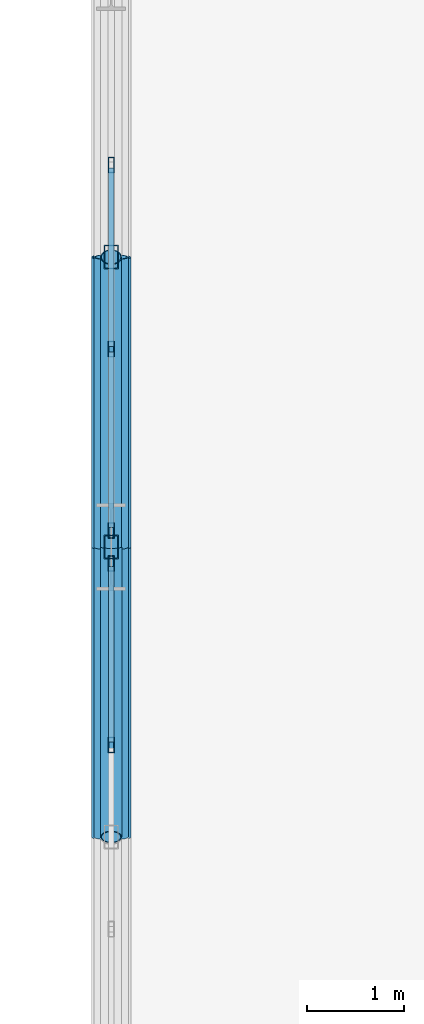
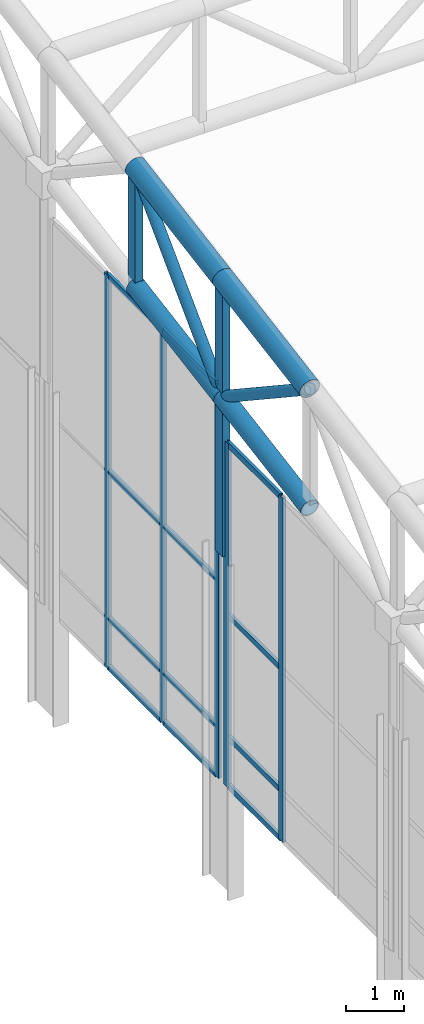
# One storey, part 38 of 239: 25 members, 2 elements without a shape of their own.
"""IFC4 building model written with IfcOpenShell, lengths in metres."""

import ifcopenshell
import ifcopenshell.guid

model = None  # the IFC model being written
_history = None  # IfcOwnerHistory: only IFC2X3 demands one
_inside = {}  # id of a spatial element -> (the spatial element, [elements in it])
_under = {}  # id of a project, library or spatial element -> (it, [spatial elements below it])
_declared = {}  # id of a project -> (the project, [libraries it declares])
_typed = {}  # id of a type object -> (the type object, [elements of that type])
_made_of = {}  # id of a material, layer set ... -> (it, [elements and type objects made of it])


def new_model(schema):
    """Start an empty IFC model of exactly this schema.

    Asked for "IFC4X3", IfcOpenShell would pick the latest addendum, in which some entities
    have other attributes; the version numbers below select the first issue.
    IFC2X3 requires an IfcOwnerHistory on every rooted entity: one is made here for all.
    """
    global model, _history
    if schema == "IFC4X3":
        model = ifcopenshell.file(schema_version=(4, 3, 0, 0))
    else:
        model = ifcopenshell.file(schema=schema)
    _inside.clear()
    _under.clear()
    _declared.clear()
    _typed.clear()
    _made_of.clear()
    _history = None
    if model.schema == "IFC2X3":
        org = make("IfcOrganization", Name="unknown")
        user = make(
            "IfcPersonAndOrganization",
            ThePerson=make("IfcPerson", FamilyName="unknown"),
            TheOrganization=org,
        )
        app = make(
            "IfcApplication",
            ApplicationDeveloper=org,
            Version="unknown",
            ApplicationFullName="unknown",
            ApplicationIdentifier="unknown",
        )
        _history = make(
            "IfcOwnerHistory",
            OwningUser=user,
            OwningApplication=app,
            ChangeAction="ADDED",
            CreationDate=0,
        )
    return model


def make(cls, **values):
    """One entity of the class cls with the attributes given. An attribute that is None is left unset."""
    return model.create_entity(
        cls, **{name: value for name, value in values.items() if value is not None}
    )


def rooted(cls, **values):
    """An entity with a GlobalId (a new one), such as an element, a storey or a relation."""
    return make(cls, GlobalId=ifcopenshell.guid.new(), OwnerHistory=_history, **values)


def si_unit(unit_type, name, prefix=None):
    """IfcSIUnit, for example si_unit("LENGTHUNIT", "METRE", prefix="MILLI")."""
    return make("IfcSIUnit", UnitType=unit_type, Prefix=prefix, Name=name)


def assignment(units):
    """IfcUnitAssignment: the units of a project."""
    return None if units is None else make("IfcUnitAssignment", Units=units)


def point(xyz):
    """IfcCartesianPoint."""
    return None if xyz is None else make("IfcCartesianPoint", Coordinates=xyz)


def direction(xyz):
    """IfcDirection."""
    return None if xyz is None else make("IfcDirection", DirectionRatios=xyz)


def frame(location, z_axis=None, x_axis=None):
    """IfcAxis2Placement3D, a coordinate frame: its origin and axes. An axis left out is left unset."""
    return make(
        "IfcAxis2Placement3D",
        Location=point(location),
        Axis=direction(z_axis),
        RefDirection=direction(x_axis),
    )


def frame_2d(location, x_axis=None):
    """IfcAxis2Placement2D, a coordinate frame in the plane: its origin and x axis."""
    return make(
        "IfcAxis2Placement2D", Location=point(location), RefDirection=direction(x_axis)
    )


def origin():
    """The frame at (0, 0, 0) with its axes left unset."""
    return frame((0.0, 0.0, 0.0))


def origin_2d():
    """The frame at (0, 0) in the plane with its x axis left unset."""
    return frame_2d((0.0, 0.0))


def place(relative_to, where):
    """IfcLocalPlacement: puts the frame where relative to a parent placement (None: the world)."""
    return make(
        "IfcLocalPlacement", PlacementRelTo=relative_to, RelativePlacement=where
    )


def context(
    kind, dimensions, precision=None, world=None, true_north=None, identifier=None
):
    """IfcGeometricRepresentationContext, for example the 3D "Model" context."""
    return make(
        "IfcGeometricRepresentationContext",
        ContextIdentifier=identifier,
        ContextType=kind,
        CoordinateSpaceDimension=dimensions,
        Precision=precision,
        WorldCoordinateSystem=world,
        TrueNorth=true_north,
    )


def subcontext(parent, identifier, kind, view, scale=None):
    """IfcGeometricRepresentationSubContext, for example "Body" below "Model"."""
    return make(
        "IfcGeometricRepresentationSubContext",
        ContextIdentifier=identifier,
        ContextType=kind,
        ParentContext=parent,
        TargetScale=scale,
        TargetView=view,
    )


def project(units=None, contexts=None):
    """IfcProject with its units and contexts."""
    return rooted(
        "IfcProject",
        Name="project",
        RepresentationContexts=contexts,
        UnitsInContext=assignment(units),
    )


def spatial(cls, under=None, at=None, **own):
    """A site, building, storey or space (cls), placed at a placement, below another one or the project."""
    s = rooted(cls, ObjectPlacement=at, **own)
    if under is not None:
        _under.setdefault(under.id(), (under, []))[1].append(s)
    return s


def profile(cls, at=None, kind="AREA", **sizes):
    """A parametric profile (cls). Its sizes go by their IFC names, for example OverallWidth=200.0."""
    return make(cls, ProfileType=kind, Position=at, **sizes)


def hollow_rectangle(**sizes):
    """IfcRectangleHollowProfileDef."""
    return profile("IfcRectangleHollowProfileDef", **sizes)


def hollow_circle(**sizes):
    """IfcCircleHollowProfileDef."""
    return profile("IfcCircleHollowProfileDef", **sizes)


def extrude(swept, where, along, depth):
    """IfcExtrudedAreaSolid: the profile swept, set in the frame where, extruded along a direction by depth."""
    return make(
        "IfcExtrudedAreaSolid",
        SweptArea=swept,
        Position=where,
        ExtrudedDirection=direction(along),
        Depth=depth,
    )


def shape(context_of_items, identifier, shape_type, items):
    """IfcShapeRepresentation: the items that make up one representation, for example the "Body"."""
    return make(
        "IfcShapeRepresentation",
        ContextOfItems=context_of_items,
        RepresentationIdentifier=identifier,
        RepresentationType=shape_type,
        Items=items,
    )


def material(Name=None, Category=None):
    """IfcMaterial."""
    return make("IfcMaterial", Name=Name, Category=Category)


def material_profile(
    of_material, cross_section, Name=None, Category=None, Priority=None
):
    """IfcMaterialProfile: a cross section and its material."""
    return make(
        "IfcMaterialProfile",
        Name=Name,
        Material=of_material,
        Profile=cross_section,
        Priority=Priority,
        Category=Category,
    )


def profile_set(profiles, Name=None, composite=None):
    """IfcMaterialProfileSet."""
    return make(
        "IfcMaterialProfileSet",
        Name=Name,
        MaterialProfiles=profiles,
        CompositeProfile=composite,
    )


def made_of(thing, what):
    """Note that an element or type object is made of a material, layer set ...; save() writes the relation."""
    if what is not None:
        _made_of.setdefault(what.id(), (what, []))[1].append(thing)
    return thing


def type_object(cls, material=None, **own):
    """A type object (cls), such as IfcWallType, which elements share."""
    return made_of(rooted(cls, **own), material)


def element(
    cls,
    number,
    at=None,
    inside=None,
    cuts=None,
    type_object=None,
    material=None,
    context=None,
    identifier="Body",
    shape_type=None,
    held_by="IfcProductDefinitionShape",
    body=None,
    shapes=None,
    **own,
):
    """One element of the class cls, such as IfcWall. Its Tag is "e" and its number.

    at: its placement. inside: the storey or other place that contains it. cuts: it is an
    opening in that element (IfcRelVoidsElement). A single representation is given by context,
    identifier, shape_type and body (its items); several are given by shapes. held_by: the class
    of the entity that holds the representations. save() writes the other relations.
    """
    e = rooted(cls, Tag="e%d" % number, ObjectPlacement=at, **own)
    if body is not None:
        shapes = [shape(context, identifier, shape_type, body)]
    if shapes is not None:
        e.Representation = make(held_by, Representations=shapes)
    if inside is not None:
        _inside.setdefault(inside.id(), (inside, []))[1].append(e)
    if cuts is not None:
        rooted(
            "IfcRelVoidsElement", RelatingBuildingElement=cuts, RelatedOpeningElement=e
        )
    if type_object is not None:
        _typed.setdefault(type_object.id(), (type_object, []))[1].append(e)
    return made_of(e, material)


def aggregate(whole, parts):
    """IfcRelAggregates: a whole, such as a stair, and the parts it consists of."""
    return rooted("IfcRelAggregates", RelatingObject=whole, RelatedObjects=parts)


def save(model, path):
    """Write the relations noted so far, then the file.

    IfcRelAggregates (storeys below a building ...), IfcRelContainedInSpatialStructure (elements
    in a storey), IfcRelDefinesByType, IfcRelAssociatesMaterial and IfcRelDeclares: one each for
    every whole, place, type object, material and project.
    """
    for whole, parts in _under.values():
        aggregate(whole, parts)
    for where, things in _inside.values():
        rooted(
            "IfcRelContainedInSpatialStructure",
            RelatedElements=things,
            RelatingStructure=where,
        )
    for kind, things in _typed.values():
        rooted("IfcRelDefinesByType", RelatedObjects=things, RelatingType=kind)
    for what, things in _made_of.values():
        rooted("IfcRelAssociatesMaterial", RelatedObjects=things, RelatingMaterial=what)
    for by, libraries in _declared.values():
        rooted("IfcRelDeclares", RelatingContext=by, RelatedDefinitions=libraries)
    model.write(path)


model = new_model("IFC4")

# Units and contexts
model_context = context("Model", 3, precision=1e-05, world=origin(), true_north=direction((0.0, 1.0)))
body_context = subcontext(model_context, "Body", "Model", "MODEL_VIEW")
ifc_project = project(units=[si_unit("LENGTHUNIT", "METRE"), si_unit("AREAUNIT", "SQUARE_METRE"), si_unit("VOLUMEUNIT", "CUBIC_METRE"), si_unit("PLANEANGLEUNIT", "RADIAN"), si_unit("MASSUNIT", "GRAM", prefix="KILO")], contexts=[model_context])

# Site, building, storey
site_placement = place(None, origin())
site = spatial("IfcSite", under=ifc_project, at=site_placement, CompositionType="ELEMENT")
building_placement = place(site_placement, origin())
building = spatial("IfcBuilding", under=site, at=building_placement, Name="Kaldris Quays Convention Centre", CompositionType="ELEMENT")
storey_placement = place(building_placement, frame((0.0, 0.0, 11.39990234375)))
storey = spatial("IfcBuildingStorey", under=building, at=storey_placement, Name="L02", CompositionType="ELEMENT", Elevation=11.39990234375)

# Curtain wall, members
ifc_material_1 = material(Name="Anodized aluminium AW-6060 and triple glazing", Category="aluminium")
curtain_wall_type = type_object("IfcCurtainWallType", Name="UNITISED CURTAIN WALL CW03", PredefinedType="NOTDEFINED", material=ifc_material_1)
curtain_wall_1_placement = place(storey_placement, origin())
curtain_wall_1 = element("IfcCurtainWall", 1, at=curtain_wall_1_placement, inside=storey, type_object=curtain_wall_type, Name="L02 Unitised Curtain Wall CW03 215", PredefinedType="NOTDEFINED")
ifc_material_2 = material(Name="Anodized aluminium AW-6060", Category="aluminium")
ifc_material_profile_1 = material_profile(ifc_material_2, hollow_rectangle(XDim=0.06005859375, YDim=0.159912109375, WallThickness=0.00390625, at=origin_2d()), Name="RHS 160x60x4")
ifc_profile_set_1 = profile_set([ifc_material_profile_1], Name="Anodized aluminium AW-6060")
member_type_1 = type_object("IfcMemberType", Name="CURTAIN MULLION CWM1", PredefinedType="MULLION", material=ifc_profile_set_1)
member_1_placement = place(storey_placement, frame((20.0, 71.953369140625, 2.195068359375), z_axis=(0.0, 0.0, 1.0), x_axis=(-1.0, 0.0, 0.0)))
member_1 = element("IfcMember", 2, at=member_1_placement, type_object=member_type_1, Name="CW03 mullion 3", PredefinedType="MULLION", context=body_context, shape_type="SweptSolid", body=[
    extrude(hollow_rectangle(XDim=0.06005859375, YDim=0.159912109375, WallThickness=0.00390625, at=origin_2d()), origin(), (0.0, 0.0, 1.0), 7.22607421875),
])
member_2_placement = place(storey_placement, frame((20.0, 73.830078125, 2.195068359375), z_axis=(0.0, 0.0, 1.0), x_axis=(-1.0, 0.0, 0.0)))
member_2 = element("IfcMember", 3, at=member_2_placement, type_object=member_type_1, Name="CW03 mullion 4", PredefinedType="MULLION", context=body_context, shape_type="SweptSolid", body=[
    extrude(hollow_rectangle(XDim=0.06005859375, YDim=0.159912109375, WallThickness=0.00390625, at=origin_2d()), origin(), (0.0, 0.0, 1.0), 7.22607421875),
])

curtain_wall_2_placement = place(storey_placement, origin())
curtain_wall_2 = element("IfcCurtainWall", 4, at=curtain_wall_2_placement, inside=storey, type_object=curtain_wall_type, Name="L02 Unitised Curtain Wall CW03 216", PredefinedType="NOTDEFINED")
member_3_placement = place(storey_placement, frame((20.0, 74.169921875, 2.195068359375), z_axis=(0.0, 0.0, 1.0), x_axis=(-1.0, 0.0, 0.0)))
member_3 = element("IfcMember", 5, at=member_3_placement, type_object=member_type_1, Name="CW03 mullion 1", PredefinedType="MULLION", context=body_context, shape_type="SweptSolid", body=[
    extrude(hollow_rectangle(XDim=0.06005859375, YDim=0.159912109375, WallThickness=0.00390625, at=origin_2d()), origin(), (0.0, 0.0, 1.0), 8.255126953125),
])
member_4_placement = place(storey_placement, frame((20.0, 76.046630859375, 2.195068359375), z_axis=(0.0, 0.0, 1.0), x_axis=(-1.0, 0.0, 0.0)))
member_4 = element("IfcMember", 6, at=member_4_placement, type_object=member_type_1, Name="CW03 mullion 2", PredefinedType="MULLION", context=body_context, shape_type="SweptSolid", body=[
    extrude(hollow_rectangle(XDim=0.06005859375, YDim=0.159912109375, WallThickness=0.00390625, at=origin_2d()), origin(), (0.0, 0.0, 1.0), 8.255126953125),
])
member_5_placement = place(storey_placement, frame((20.0, 77.953369140625, 2.195068359375), z_axis=(0.0, 0.0, 1.0), x_axis=(-1.0, 0.0, 0.0)))
member_5 = element("IfcMember", 7, at=member_5_placement, type_object=member_type_1, Name="CW03 mullion 3", PredefinedType="MULLION", context=body_context, shape_type="SweptSolid", body=[
    extrude(hollow_rectangle(XDim=0.06005859375, YDim=0.159912109375, WallThickness=0.00390625, at=origin_2d()), origin(), (0.0, 0.0, 1.0), 8.255126953125),
])

# Member
ifc_material_profile_2 = material_profile(ifc_material_2, hollow_rectangle(XDim=0.06005859375, YDim=0.1201171875, WallThickness=0.00390625, at=origin_2d()), Name="RHS 120x60x4")
ifc_profile_set_2 = profile_set([ifc_material_profile_2], Name="Anodized aluminium AW-6060")
member_type_2 = type_object("IfcMemberType", Name="CURTAIN TRANSOM CWT1", PredefinedType="USERDEFINED", material=ifc_profile_set_2)
member_6_placement = place(storey_placement, frame((20.0, 71.9833984375, 2.22509765625), z_axis=(0.0, 1.0, 0.0), x_axis=(-1.0, 0.0, 0.0)))
member_6 = element("IfcMember", 8, at=member_6_placement, type_object=member_type_2, Name="CW03 transom 3.1", ObjectType="TRANSOM", PredefinedType="USERDEFINED", context=body_context, shape_type="SweptSolid", body=[
    extrude(hollow_rectangle(XDim=0.06005859375, YDim=0.1201171875, WallThickness=0.00390625, at=origin_2d()), origin(), (0.0, 0.0, 1.0), 1.816650390625),
])

member_7_placement = place(storey_placement, frame((20.0, 71.9833984375, 3.2451171875), z_axis=(0.0, 1.0, 0.0), x_axis=(-1.0, 0.0, 0.0)))
member_7 = element("IfcMember", 9, at=member_7_placement, type_object=member_type_2, Name="CW03 transom 3.2", ObjectType="TRANSOM", PredefinedType="USERDEFINED", context=body_context, shape_type="SweptSolid", body=[
    extrude(hollow_rectangle(XDim=0.06005859375, YDim=0.1201171875, WallThickness=0.00390625, at=origin_2d()), origin(), (0.0, 0.0, 1.0), 1.816650390625),
])

member_8_placement = place(storey_placement, frame((20.0, 71.9833984375, 5.80810546875), z_axis=(0.0, 1.0, 0.0), x_axis=(-1.0, 0.0, 0.0)))
member_8 = element("IfcMember", 10, at=member_8_placement, type_object=member_type_2, Name="CW03 transom 3.3", ObjectType="TRANSOM", PredefinedType="USERDEFINED", context=body_context, shape_type="SweptSolid", body=[
    extrude(hollow_rectangle(XDim=0.06005859375, YDim=0.1201171875, WallThickness=0.00390625, at=origin_2d()), origin(), (0.0, 0.0, 1.0), 1.816650390625),
])

member_9_placement = place(storey_placement, frame((20.0, 71.9833984375, 9.39111328125), z_axis=(0.0, 1.0, 0.0), x_axis=(-1.0, 0.0, 0.0)))
member_9 = element("IfcMember", 11, at=member_9_placement, type_object=member_type_2, Name="CW03 transom 3.4", ObjectType="TRANSOM", PredefinedType="USERDEFINED", context=body_context, shape_type="SweptSolid", body=[
    extrude(hollow_rectangle(XDim=0.06005859375, YDim=0.1201171875, WallThickness=0.00390625, at=origin_2d()), origin(), (0.0, 0.0, 1.0), 1.816650390625),
])

aggregate(curtain_wall_1, [member_1, member_2, member_6, member_7, member_8, member_9])

member_10_placement = place(storey_placement, frame((20.0, 74.199951171875, 2.22509765625), z_axis=(0.0, 1.0, 0.0), x_axis=(-1.0, 0.0, 0.0)))
member_10 = element("IfcMember", 12, at=member_10_placement, type_object=member_type_2, Name="CW03 transom 1.1", ObjectType="TRANSOM", PredefinedType="USERDEFINED", context=body_context, shape_type="SweptSolid", body=[
    extrude(hollow_rectangle(XDim=0.06005859375, YDim=0.1201171875, WallThickness=0.00390625, at=origin_2d()), origin(), (0.0, 0.0, 1.0), 1.816650390625),
])

member_11_placement = place(storey_placement, frame((20.0, 74.199951171875, 3.2451171875), z_axis=(0.0, 1.0, 0.0), x_axis=(-1.0, 0.0, 0.0)))
member_11 = element("IfcMember", 13, at=member_11_placement, type_object=member_type_2, Name="CW03 transom 1.2", ObjectType="TRANSOM", PredefinedType="USERDEFINED", context=body_context, shape_type="SweptSolid", body=[
    extrude(hollow_rectangle(XDim=0.06005859375, YDim=0.1201171875, WallThickness=0.00390625, at=origin_2d()), origin(), (0.0, 0.0, 1.0), 1.816650390625),
])

member_12_placement = place(storey_placement, frame((20.0, 74.199951171875, 6.322998046875), z_axis=(0.0, 1.0, 0.0), x_axis=(-1.0, 0.0, 0.0)))
member_12 = element("IfcMember", 14, at=member_12_placement, type_object=member_type_2, Name="CW03 transom 1.3", ObjectType="TRANSOM", PredefinedType="USERDEFINED", context=body_context, shape_type="SweptSolid", body=[
    extrude(hollow_rectangle(XDim=0.06005859375, YDim=0.1201171875, WallThickness=0.00390625, at=origin_2d()), origin(), (0.0, 0.0, 1.0), 1.816650390625),
])

member_13_placement = place(storey_placement, frame((20.0, 74.199951171875, 10.420166015625), z_axis=(0.0, 1.0, 0.0), x_axis=(-1.0, 0.0, 0.0)))
member_13 = element("IfcMember", 15, at=member_13_placement, type_object=member_type_2, Name="CW03 transom 1.4", ObjectType="TRANSOM", PredefinedType="USERDEFINED", context=body_context, shape_type="SweptSolid", body=[
    extrude(hollow_rectangle(XDim=0.06005859375, YDim=0.1201171875, WallThickness=0.00390625, at=origin_2d()), origin(), (0.0, 0.0, 1.0), 1.816650390625),
])

member_14_placement = place(storey_placement, frame((20.0, 76.07666015625, 2.22509765625), z_axis=(0.0, 1.0, 0.0), x_axis=(-1.0, 0.0, 0.0)))
member_14 = element("IfcMember", 16, at=member_14_placement, type_object=member_type_2, Name="CW03 transom 2.1", ObjectType="TRANSOM", PredefinedType="USERDEFINED", context=body_context, shape_type="SweptSolid", body=[
    extrude(hollow_rectangle(XDim=0.06005859375, YDim=0.1201171875, WallThickness=0.00390625, at=origin_2d()), origin(), (0.0, 0.0, 1.0), 1.8466796875),
])

member_15_placement = place(storey_placement, frame((20.0, 76.07666015625, 3.2451171875), z_axis=(0.0, 1.0, 0.0), x_axis=(-1.0, 0.0, 0.0)))
member_15 = element("IfcMember", 17, at=member_15_placement, type_object=member_type_2, Name="CW03 transom 2.2", ObjectType="TRANSOM", PredefinedType="USERDEFINED", context=body_context, shape_type="SweptSolid", body=[
    extrude(hollow_rectangle(XDim=0.06005859375, YDim=0.1201171875, WallThickness=0.00390625, at=origin_2d()), origin(), (0.0, 0.0, 1.0), 1.8466796875),
])

member_16_placement = place(storey_placement, frame((20.0, 76.07666015625, 6.322998046875), z_axis=(0.0, 1.0, 0.0), x_axis=(-1.0, 0.0, 0.0)))
member_16 = element("IfcMember", 18, at=member_16_placement, type_object=member_type_2, Name="CW03 transom 2.3", ObjectType="TRANSOM", PredefinedType="USERDEFINED", context=body_context, shape_type="SweptSolid", body=[
    extrude(hollow_rectangle(XDim=0.06005859375, YDim=0.1201171875, WallThickness=0.00390625, at=origin_2d()), origin(), (0.0, 0.0, 1.0), 1.8466796875),
])

member_17_placement = place(storey_placement, frame((20.0, 76.07666015625, 10.420166015625), z_axis=(0.0, 1.0, 0.0), x_axis=(-1.0, 0.0, 0.0)))
member_17 = element("IfcMember", 19, at=member_17_placement, type_object=member_type_2, Name="CW03 transom 2.4", ObjectType="TRANSOM", PredefinedType="USERDEFINED", context=body_context, shape_type="SweptSolid", body=[
    extrude(hollow_rectangle(XDim=0.06005859375, YDim=0.1201171875, WallThickness=0.00390625, at=origin_2d()), origin(), (0.0, 0.0, 1.0), 1.8466796875),
])

aggregate(curtain_wall_2, [member_3, member_4, member_5, member_10, member_11, member_12, member_13, member_14, member_15, member_16, member_17])

# Members
ifc_material_3 = material(Name="Steel S355J2H", Category="steel")
ifc_material_profile_3 = material_profile(ifc_material_3, hollow_circle(Radius=0.203125, WallThickness=0.01611328125, at=origin_2d()), Name="CHS 406.4x16")
ifc_profile_set_3 = profile_set([ifc_material_profile_3], Name="Steel S355J2H")
member_type_3 = type_object("IfcMemberType", Name="STRUCTURAL MEMBER SC01", PredefinedType="CHORD", material=ifc_profile_set_3)
for number, where, z_axis, x_axis, name in (
    (20, (20.0, 71.0, 12.243408203125), (0.0, 0.98562912375, 0.168923741424), (-1.0, 0.0, 0.0), "SF-V1 Top Chord Y 342"),
    (21, (20.0, 74.0, 12.757568359375), (0.0, 0.985615766076, 0.169001661712), (-1.0, 0.0, 0.0), "SF-V1 Top Chord Y 343"),
):
    element("IfcMember", number, at=place(storey_placement, frame(where, z_axis=z_axis, x_axis=x_axis)), inside=storey, type_object=member_type_3, Name=name, PredefinedType="CHORD", context=body_context, shape_type="SweptSolid", body=[
        extrude(hollow_circle(Radius=0.203125, WallThickness=0.01611328125, at=origin_2d()), origin(), (0.0, 0.0, 1.0), 3.043701171875),
    ])
ifc_material_profile_4 = material_profile(ifc_material_3, hollow_circle(Radius=0.177734375, WallThickness=0.01611328125, at=origin_2d()), Name="CHS 355.6x16")
ifc_profile_set_4 = profile_set([ifc_material_profile_4], Name="Steel S355J2H")
member_type_4 = type_object("IfcMemberType", Name="STRUCTURAL MEMBER SC02", PredefinedType="CHORD", material=ifc_profile_set_4)
for number, where, z_axis, x_axis, name in (
    (22, (20.0, 71.0, 9.743408203125), (0.0, 0.98562912375, 0.168923741424), (-1.0, 0.0, 0.0), "SF-V1 Bottom Chord Y 342"),
    (23, (20.0, 74.0, 10.257568359375), (0.0, 0.985615766076, 0.169001661712), (-1.0, 0.0, 0.0), "SF-V1 Bottom Chord Y 343"),
):
    element("IfcMember", number, at=place(storey_placement, frame(where, z_axis=z_axis, x_axis=x_axis)), inside=storey, type_object=member_type_4, Name=name, PredefinedType="CHORD", context=body_context, shape_type="SweptSolid", body=[
        extrude(hollow_circle(Radius=0.177734375, WallThickness=0.01611328125, at=origin_2d()), origin(), (0.0, 0.0, 1.0), 3.043701171875),
    ])
ifc_material_profile_5 = material_profile(ifc_material_3, hollow_circle(Radius=0.109619140625, WallThickness=0.010009765625, at=origin_2d()), Name="CHS 219.1x10")
ifc_profile_set_5 = profile_set([ifc_material_profile_5], Name="Steel S355J2H")
member_type_5 = type_object("IfcMemberType", Name="STRUCTURAL MEMBER SWB1", PredefinedType="BRACE", material=ifc_profile_set_5)
member_18_placement = place(storey_placement, frame((20.0, 74.0, 10.257568359375), z_axis=(0.0, -0.833862389808, 0.551972385962), x_axis=(1.0, 0.0, 0.0)))
element("IfcMember", 24, at=member_18_placement, inside=storey, type_object=member_type_5, Name="SF-V1 Web Diagonal Y 342", PredefinedType="BRACE", context=body_context, shape_type="SweptSolid", body=[
    extrude(hollow_circle(Radius=0.109619140625, WallThickness=0.010009765625, at=origin_2d()), origin(), (0.0, 0.0, 1.0), 3.59765625),
])
member_19_placement = place(storey_placement, frame((20.0, 74.0, 10.257568359375), z_axis=(0.0, 0.705411261057, 0.708798245465), x_axis=(-1.0, 0.0, 0.0)))
element("IfcMember", 25, at=member_19_placement, inside=storey, type_object=member_type_5, Name="SF-V1 Web Diagonal Y 343", PredefinedType="BRACE", context=body_context, shape_type="SweptSolid", body=[
    extrude(hollow_circle(Radius=0.109619140625, WallThickness=0.010009765625, at=origin_2d()), origin(), (0.0, 0.0, 1.0), 4.2529296875),
])
ifc_material_profile_6 = material_profile(ifc_material_3, hollow_rectangle(XDim=0.14990234375, YDim=0.25, WallThickness=0.010009765625, at=origin_2d()), Name="RHS 250x150x10")
ifc_profile_set_6 = profile_set([ifc_material_profile_6], Name="Steel S355J2H")
member_type_6 = type_object("IfcMemberType", Name="STRUCTURAL MEMBER TTV1", PredefinedType="POST", material=ifc_profile_set_6)
member_20_placement = place(storey_placement, frame((20.0, 74.0, 6.994140625), z_axis=(0.0, 0.0, 1.0), x_axis=(1.0, 0.0, 0.0)))
element("IfcMember", 26, at=member_20_placement, inside=storey, type_object=member_type_6, Name="SF-V1 Space-Frame Post 7", PredefinedType="POST", context=body_context, shape_type="SweptSolid", body=[
    extrude(hollow_rectangle(XDim=0.14990234375, YDim=0.25, WallThickness=0.010009765625, at=origin_2d()), origin(), (0.0, 0.0, 1.0), 5.763427734375),
])
member_21_placement = place(storey_placement, frame((20.0, 77.0, 10.77197265625), z_axis=(0.0, 0.0, 1.0), x_axis=(1.0, 0.0, 0.0)))
element("IfcMember", 27, at=member_21_placement, inside=storey, type_object=member_type_6, Name="SF-V1 Space-Frame Post 8", PredefinedType="POST", context=body_context, shape_type="SweptSolid", body=[
    extrude(hollow_rectangle(XDim=0.14990234375, YDim=0.25, WallThickness=0.010009765625, at=origin_2d()), origin(), (0.0, 0.0, 1.0), 2.5),
])

save(model, "model.ifc")
